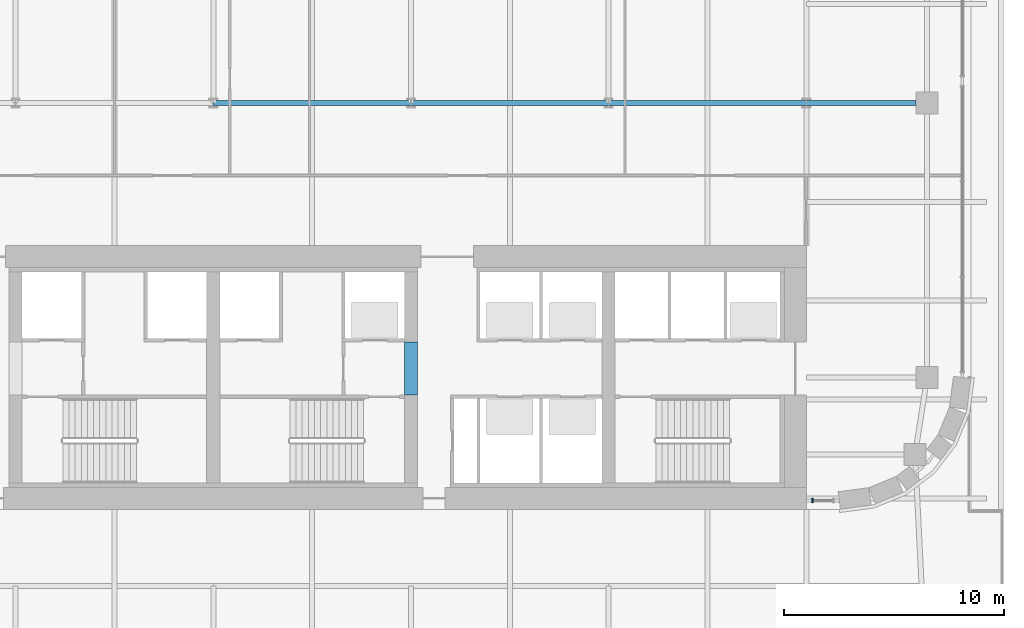
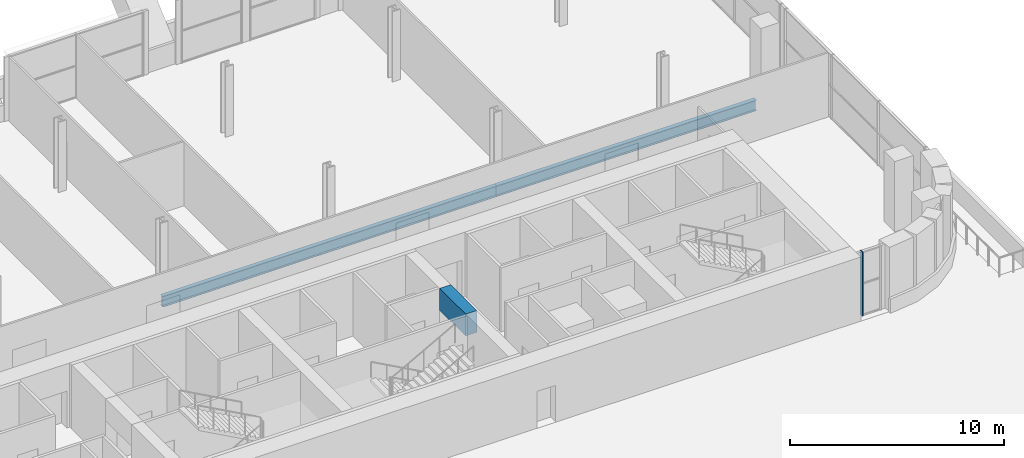
# One storey, part 6 of 26: 3 beams, 1 member, 1 element without a shape of its own.
"""IFC4 building model written with IfcOpenShell, lengths in metres."""

from ifc_helpers import new_model, si_unit, direction, frame, origin, origin_2d, place, context, subcontext, project, spatial, rectangle, i_section, extrude, material, material_profile, profile_set, type_object, element, aggregate, save


model = new_model("IFC4")

# Units and contexts
model_context = context("Model", 3, precision=1e-05, world=origin(), true_north=direction((0.0, 1.0)))
body_context = subcontext(model_context, "Body", "Model", "MODEL_VIEW")
ifc_project = project(units=[si_unit("LENGTHUNIT", "METRE"), si_unit("AREAUNIT", "SQUARE_METRE"), si_unit("VOLUMEUNIT", "CUBIC_METRE"), si_unit("PLANEANGLEUNIT", "RADIAN"), si_unit("MASSUNIT", "GRAM", prefix="KILO")], contexts=[model_context])

# Site, building, storey
site_placement = place(None, origin())
site = spatial("IfcSite", under=ifc_project, at=site_placement, CompositionType="ELEMENT")
building_placement = place(site_placement, origin())
building = spatial("IfcBuilding", under=site, at=building_placement, Name="Zellij Exchange Tower", CompositionType="ELEMENT")
storey_placement = place(building_placement, frame((0.0, 0.0, 156.5)))
storey = spatial("IfcBuildingStorey", under=building, at=storey_placement, Name="L35", CompositionType="ELEMENT", Elevation=156.5)

# Beam
ifc_material_1 = material(Name="Concrete C70/85", Category="concrete")
ifc_material_profile_1 = material_profile(ifc_material_1, rectangle(XDim=0.60009765625, YDim=1.25, at=origin_2d()), Name="CORE-CB 600x1250 C70/85")
ifc_profile_set_1 = profile_set([ifc_material_profile_1], Name="Concrete C70/85")
beam_type_1 = type_object("IfcBeamType", Name="CORE-CB 600x1250 C70/85", PredefinedType="BEAM", material=ifc_profile_set_1)
beam_1_placement = place(storey_placement, frame((9.0, -8.800048828125, 3.02490234375), z_axis=(0.0, 1.0, 0.0), x_axis=(-1.0, 0.0, 0.0)))
element("IfcBeam", 1, at=beam_1_placement, inside=storey, type_object=beam_type_1, Name="Core coupling beam x 9 L35", PredefinedType="BEAM", context=body_context, shape_type="SweptSolid", body=[
    extrude(rectangle(XDim=0.60009765625, YDim=1.25, at=origin_2d()), origin(), (0.0, 0.0, 1.0), 2.425048828125),
])

# Curtain wall, member
ifc_material_2 = material(Name="Aluminium frame, clear insulating glass", Category="aluminium")
curtain_wall_type = type_object("IfcCurtainWallType", Name="ENV-CW6 Sky-lobby glazing", PredefinedType="NOTDEFINED", material=ifc_material_2)
curtain_wall_placement = place(storey_placement, origin())
curtain_wall = element("IfcCurtainWall", 2, at=curtain_wall_placement, inside=storey, type_object=curtain_wall_type, Name="cw.L35.00b", PredefinedType="NOTDEFINED")
ifc_material_3 = material(Name="Aluminium", Category="aluminium")
ifc_material_profile_2 = material_profile(ifc_material_3, rectangle(XDim=0.06005859375, YDim=0.199951171875, at=origin_2d()), Name="AL 60x200")
ifc_profile_set_2 = profile_set([ifc_material_profile_2], Name="Aluminium")
member_type = type_object("IfcMemberType", Name="ENV-CW6M Mullion 60x200", PredefinedType="MULLION", material=ifc_profile_set_2)
member_placement = place(storey_placement, frame((27.280029296875, -13.60009765625, 0.0), z_axis=(0.0, 0.0, 1.0), x_axis=(1.0, 0.0, 0.0)))
member = element("IfcMember", 3, at=member_placement, type_object=member_type, Name="CW6 mullion 1", PredefinedType="MULLION", context=body_context, shape_type="SweptSolid", body=[
    extrude(rectangle(XDim=0.06005859375, YDim=0.199951171875, at=origin_2d()), origin(), (0.0, 0.0, 1.0), 3.64990234375),
])
aggregate(curtain_wall, [member])

# Beams
ifc_material_4 = material(Name="Structural steel ASTM A992 Gr 50", Category="steel")
ifc_material_profile_3 = material_profile(ifc_material_4, i_section(OverallWidth=0.22900390625, OverallDepth=0.612060546875, WebThickness=0.011962890625, FlangeThickness=0.01953125, at=origin_2d()), Name="W24x84")
ifc_profile_set_3 = profile_set([ifc_material_profile_3], Name="Structural steel ASTM A992 Gr 50")
beam_type_2 = type_object("IfcBeamType", Name="STR-GIRDER W24x84", PredefinedType="BEAM", material=ifc_profile_set_3)
beam_2_placement = place(storey_placement, frame((0.0, 4.5, -0.606201171875), z_axis=(1.0, 0.0, 0.0), x_axis=(0.0, 1.0, 0.0)))
element("IfcBeam", 4, at=beam_2_placement, inside=storey, type_object=beam_type_2, Name="G4", PredefinedType="BEAM", context=body_context, shape_type="SweptSolid", body=[
    extrude(i_section(OverallWidth=0.22900390625, OverallDepth=0.612060546875, WebThickness=0.011962890625, FlangeThickness=0.01953125, at=origin_2d()), origin(), (0.0, 0.0, 1.0), 18.0),
])
beam_3_placement = place(storey_placement, frame((18.0, 4.5, -0.606201171875), z_axis=(1.0, 0.0, 0.0), x_axis=(0.0, 1.0, 0.0)))
element("IfcBeam", 5, at=beam_3_placement, inside=storey, type_object=beam_type_2, Name="G4", PredefinedType="BEAM", context=body_context, shape_type="SweptSolid", body=[
    extrude(i_section(OverallWidth=0.22900390625, OverallDepth=0.612060546875, WebThickness=0.011962890625, FlangeThickness=0.01953125, at=origin_2d()), origin(), (0.0, 0.0, 1.0), 14.0),
])

save(model, "model.ifc")
